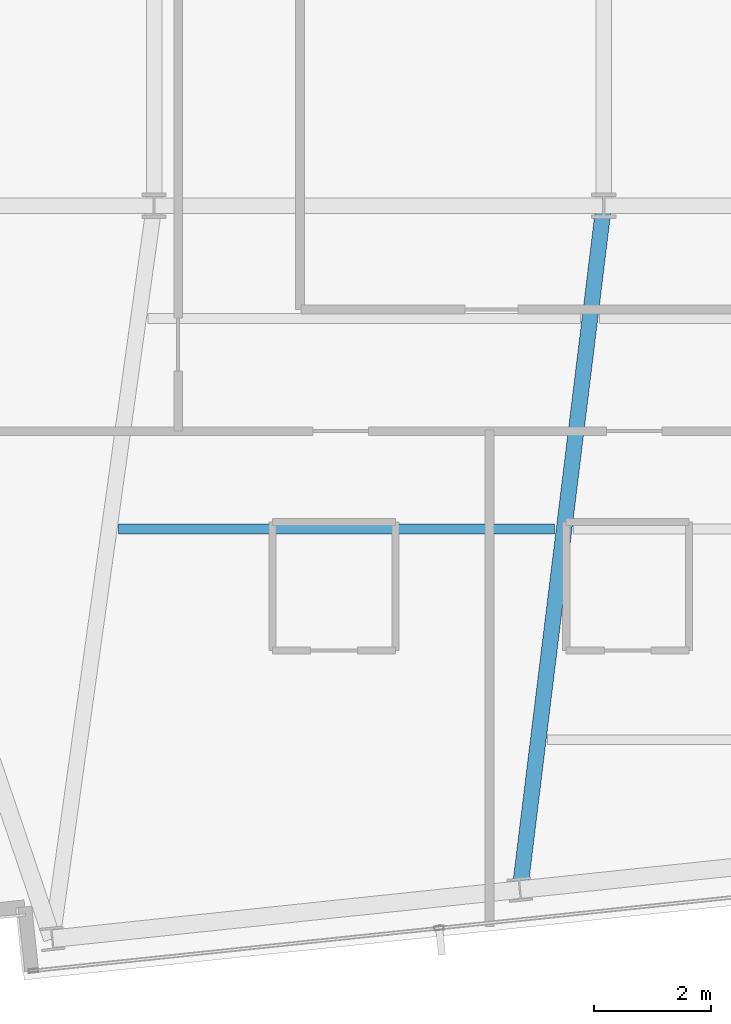
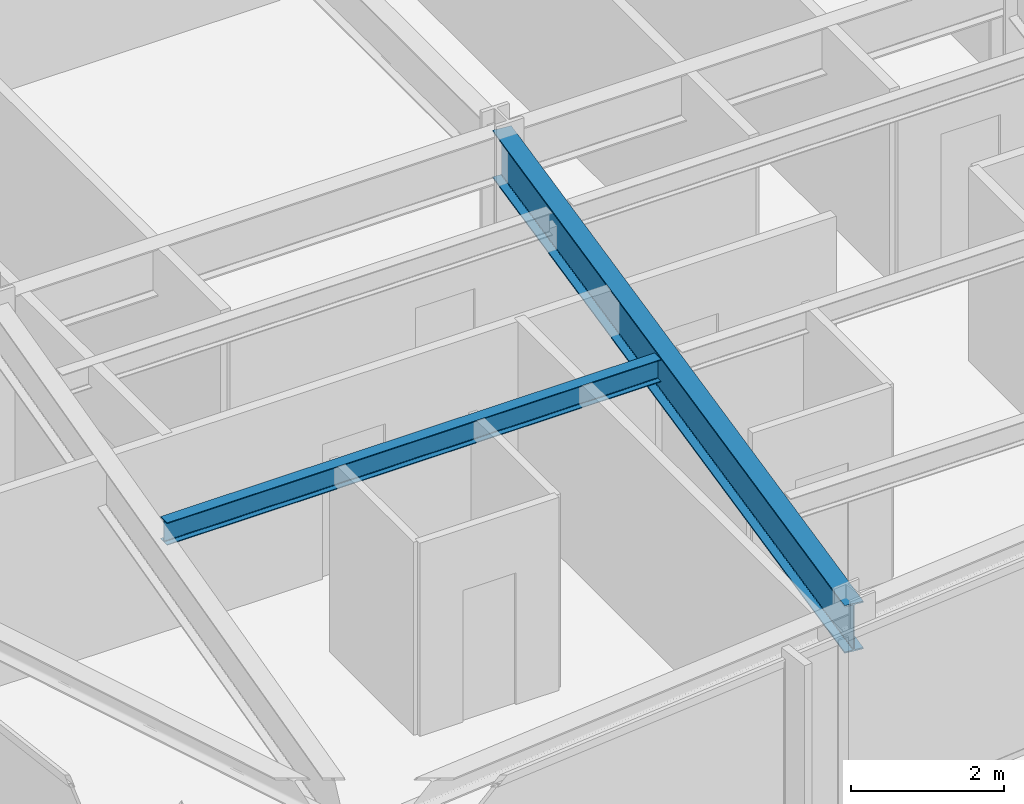
# One storey, part 4 of 33: 2 beams.
"""IFC4 building model written with IfcOpenShell, lengths in metres."""

from ifc_helpers import new_model, si_unit, direction, frame, origin, origin_2d, place, context, subcontext, project, spatial, i_section, extrude, material, material_profile, profile_set, type_object, element, save


model = new_model("IFC4")

# Units and contexts
model_context = context("Model", 3, precision=1e-05, world=origin(), true_north=direction((0.0, 1.0)))
body_context = subcontext(model_context, "Body", "Model", "MODEL_VIEW")
ifc_project = project(units=[si_unit("LENGTHUNIT", "METRE"), si_unit("AREAUNIT", "SQUARE_METRE"), si_unit("VOLUMEUNIT", "CUBIC_METRE"), si_unit("PLANEANGLEUNIT", "RADIAN"), si_unit("MASSUNIT", "GRAM", prefix="KILO")], contexts=[model_context])

# Site, building, storey
site_placement = place(None, origin())
site = spatial("IfcSite", under=ifc_project, at=site_placement, CompositionType="ELEMENT")
building_placement = place(site_placement, origin())
building = spatial("IfcBuilding", under=site, at=building_placement, Name="Yelkora Congress Tower", CompositionType="ELEMENT")
storey_placement = place(building_placement, frame((0.0, 0.0, 227.60009765625)))
storey = spatial("IfcBuildingStorey", under=building, at=storey_placement, Name="L63", CompositionType="ELEMENT", Elevation=227.60009765625)

# Beams
ifc_material = material(Name="Steel S355J2", Category="steel")
ifc_material_profile_1 = material_profile(ifc_material, i_section(OverallWidth=0.26708984375, OverallDepth=0.761962890625, WebThickness=0.014404296875, FlangeThickness=0.021484375, FilletRadius=0.01708984375, at=origin_2d()), Name="IPE 750x173")
ifc_profile_set_1 = profile_set([ifc_material_profile_1], Name="Steel S355J2")
beam_type_1 = type_object("IfcBeamType", Name="BM-GIRD-IPE750", PredefinedType="BEAM", material=ifc_profile_set_1)
beam_1_placement = place(storey_placement, frame((29.288330078125, 13.518310546875, 2.698974609375), z_axis=(0.121644630436, 0.992573717104, 0.0), x_axis=(-0.992573717104, 0.121644630436, 0.0)))
element("IfcBeam", 1, at=beam_1_placement, inside=storey, type_object=beam_type_1, Name="L63 Primary Frame Girder S02", PredefinedType="BEAM", context=body_context, shape_type="SweptSolid", body=[
    extrude(i_section(OverallWidth=0.26708984375, OverallDepth=0.761962890625, WebThickness=0.014404296875, FlangeThickness=0.021484375, FilletRadius=0.01708984375, at=origin_2d()), origin(), (0.0, 0.0, 1.0), 11.76904296875),
])
ifc_material_profile_2 = material_profile(ifc_material, i_section(OverallWidth=0.169921875, OverallDepth=0.360107421875, WebThickness=0.008056640625, FlangeThickness=0.0126953125, FilletRadius=0.01806640625, at=origin_2d()), Name="IPE 360")
ifc_profile_set_2 = profile_set([ifc_material_profile_2], Name="Steel S355J2")
beam_type_2 = type_object("IfcBeamType", Name="BM-JOIST-IPE360", PredefinedType="JOIST", material=ifc_profile_set_2)
beam_2_placement = place(storey_placement, frame((22.432373046875, 19.678466796875, 2.89990234375), z_axis=(1.0, 0.0, 0.0), x_axis=(0.0, 1.0, 0.0)))
element("IfcBeam", 2, at=beam_2_placement, inside=storey, type_object=beam_type_2, Name="L63 Composite Floor Joist 3", PredefinedType="JOIST", context=body_context, shape_type="SweptSolid", body=[
    extrude(i_section(OverallWidth=0.169921875, OverallDepth=0.360107421875, WebThickness=0.008056640625, FlangeThickness=0.0126953125, FilletRadius=0.01806640625, at=origin_2d()), origin(), (0.0, 0.0, 1.0), 7.450927734375),
])

save(model, "model.ifc")
